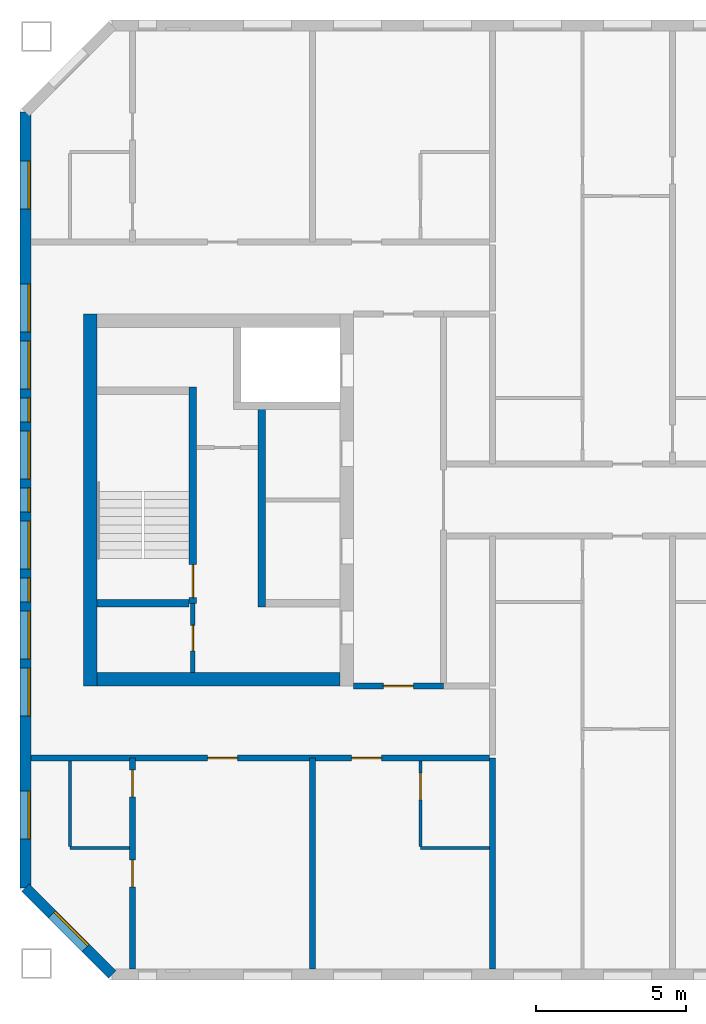
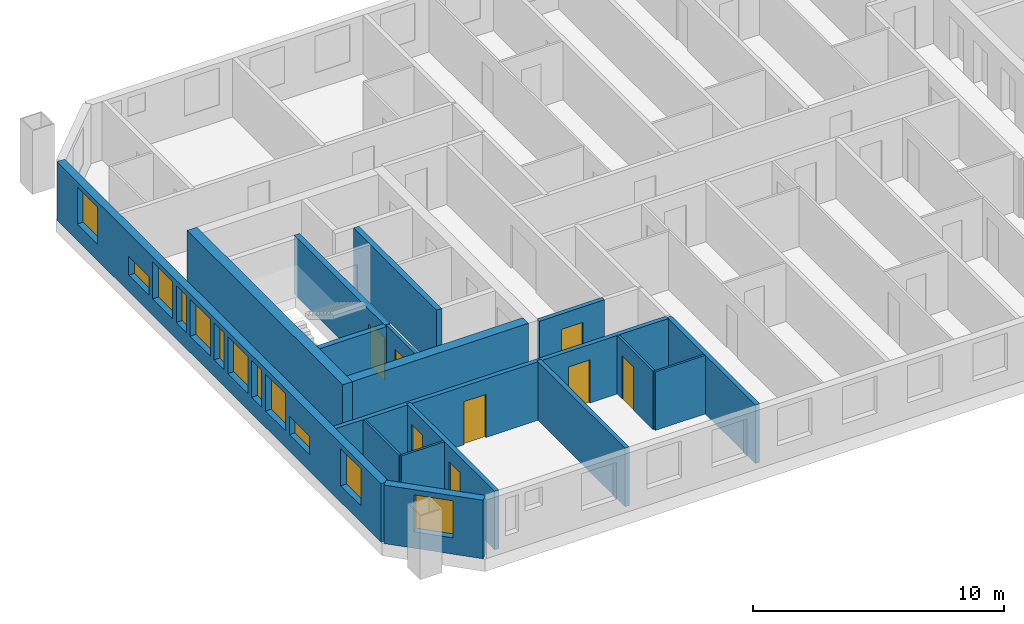
# One storey, part 2 of 16: 17 walls, 12 windows, 8 doors, 20 openings.
"""IFC4 building model written with IfcOpenShell, lengths in metres."""

from ifc_helpers import new_model, si_unit, direction, frame, frame_2d, origin, place, context, subcontext, project, spatial, rectangle, extrude, material, layer, layer_set, type_object, element, fill, save


model = new_model("IFC4")

# Units and contexts
model_context = context("Model", 3, precision=1e-05, world=origin(), true_north=direction((0.0, 1.0)))
body_context = subcontext(model_context, "Body", "Model", "MODEL_VIEW")
ifc_project = project(units=[si_unit("LENGTHUNIT", "METRE"), si_unit("AREAUNIT", "SQUARE_METRE"), si_unit("VOLUMEUNIT", "CUBIC_METRE"), si_unit("PLANEANGLEUNIT", "RADIAN"), si_unit("MASSUNIT", "GRAM", prefix="KILO")], contexts=[model_context])

# Site, building, storey
site_placement = place(None, origin())
site = spatial("IfcSite", under=ifc_project, at=site_placement, CompositionType="ELEMENT")
building_placement = place(site_placement, origin())
building = spatial("IfcBuilding", under=site, at=building_placement, Name="Tuart Gate Housing", CompositionType="ELEMENT")
storey_placement = place(building_placement, frame((0.0, 0.0, 175.800048828125)))
storey = spatial("IfcBuildingStorey", under=building, at=storey_placement, Name="L49", CompositionType="ELEMENT", Elevation=175.800048828125)

# Wall, opening, window
ifc_material_1 = material(Name="Brick", Category="masonry")
ifc_layer_1 = layer(ifc_material_1, 0.360107421875)
ifc_layer_set_1 = layer_set([ifc_layer_1], Name="Brick pier and spandrel wall 360")
wall_type_1 = type_object("IfcWallType", Name="Brick pier and spandrel wall 360", PredefinedType="STANDARD", material=ifc_layer_set_1)
wall_1_placement = place(storey_placement, frame((30.429931640625, 57.07470703125, 0.0), z_axis=(0.0, 0.0, 1.0), x_axis=(0.707106781187, -0.707106781187, 0.0)))
wall_1 = element("IfcWall", 1, at=wall_1_placement, inside=storey, type_object=wall_type_1, Name="External wall A-SW L49", PredefinedType="STANDARD", context=body_context, shape_type="SweptSolid", body=[
    extrude(rectangle(XDim=4.09375, YDim=0.360107421875, at=frame_2d((2.046875, 0.0))), origin(), (0.0, 0.0, 1.0), 2.849853515625),
])
opening_1_placement = place(wall_1_placement, frame((1.2470703125, 0.0, 0.800048828125)))
opening_1 = element("IfcOpeningElement", 2, at=opening_1_placement, cuts=wall_1, Name="Opening W1", PredefinedType="OPENING", context=body_context, shape_type="SweptSolid", body=[
    extrude(rectangle(XDim=1.60009765625, YDim=1.800048828125, at=frame_2d((0.800048828125, 0.89990234375))), frame((0.0, 0.18994140625, 0.0), z_axis=(0.0, -1.0, 0.0), x_axis=(1.0, 0.0, 0.0)), (0.0, 0.0, 1.0), 0.380126953125),
])
ifc_material_2 = material(Name="Aluminium frame with clear glass", Category="aluminium")
window_type_1 = type_object("IfcWindowType", Name="Punched window 1600 x 1800", PartitioningType="SINGLE_PANEL", PredefinedType="WINDOW", material=ifc_material_2)
window_1_placement = place(opening_1_placement, origin())
window_1 = element("IfcWindow", 3, at=window_1_placement, inside=storey, type_object=window_type_1, Name="Window W1", OverallHeight=1.800048828125, OverallWidth=1.60009765625, PartitioningType="SINGLE_PANEL", PredefinedType="WINDOW", context=body_context, shape_type="SweptSolid", body=[
    extrude(rectangle(XDim=1.60009765625, YDim=1.800048828125, at=frame_2d((0.800048828125, 0.89990234375))), frame((0.0, 0.150146484375, 0.0), z_axis=(0.0, -1.0, 0.0), x_axis=(1.0, 0.0, 0.0)), (0.0, 0.0, 1.0), 0.06005859375),
])
fill(opening_1, window_1)

# Wall, openings, windows
wall_2_placement = place(storey_placement, frame((30.429931640625, 82.92529296875, 0.0), z_axis=(0.0, 0.0, 1.0), x_axis=(0.0, -1.0, 0.0)))
wall_2 = element("IfcWall", 4, at=wall_2_placement, inside=storey, type_object=wall_type_1, Name="External wall A-W L49", PredefinedType="STANDARD", context=body_context, shape_type="SweptSolid", body=[
    extrude(rectangle(XDim=25.850830078125, YDim=0.360107421875, at=frame_2d((12.92529296875, 0.0))), origin(), (0.0, 0.0, 1.0), 2.849853515625),
])
opening_2_placement = place(wall_2_placement, frame((1.62548828125, 0.0, 0.800048828125)))
opening_2 = element("IfcOpeningElement", 5, at=opening_2_placement, cuts=wall_2, Name="Opening W1", PredefinedType="OPENING", context=body_context, shape_type="SweptSolid", body=[
    extrude(rectangle(XDim=1.60009765625, YDim=1.800048828125, at=frame_2d((0.800048828125, 0.89990234375))), frame((0.0, 0.18994140625, 0.0), z_axis=(0.0, -1.0, 0.0), x_axis=(1.0, 0.0, 0.0)), (0.0, 0.0, 1.0), 0.380126953125),
])
opening_3_placement = place(wall_2_placement, frame((5.725341796875, 0.0, 0.800048828125)))
opening_3 = element("IfcOpeningElement", 6, at=opening_3_placement, cuts=wall_2, Name="Opening W1R", PredefinedType="OPENING", context=body_context, shape_type="SweptSolid", body=[
    extrude(rectangle(XDim=1.60009765625, YDim=0.89990234375, at=frame_2d((0.800048828125, 0.449951171875))), frame((0.0, 0.18994140625, 0.0), z_axis=(0.0, -1.0, 0.0), x_axis=(1.0, 0.0, 0.0)), (0.0, 0.0, 1.0), 0.380126953125),
])
opening_4_placement = place(wall_2_placement, frame((7.62548828125, 0.0, 0.800048828125)))
opening_4 = element("IfcOpeningElement", 7, at=opening_4_placement, cuts=wall_2, Name="Opening W1", PredefinedType="OPENING", context=body_context, shape_type="SweptSolid", body=[
    extrude(rectangle(XDim=1.60009765625, YDim=1.800048828125, at=frame_2d((0.800048828125, 0.89990234375))), frame((0.0, 0.18994140625, 0.0), z_axis=(0.0, -1.0, 0.0), x_axis=(1.0, 0.0, 0.0)), (0.0, 0.0, 1.0), 0.380126953125),
])
opening_5_placement = place(wall_2_placement, frame((10.62548828125, 0.0, 0.800048828125)))
opening_5 = element("IfcOpeningElement", 8, at=opening_5_placement, cuts=wall_2, Name="Opening W1", PredefinedType="OPENING", context=body_context, shape_type="SweptSolid", body=[
    extrude(rectangle(XDim=1.60009765625, YDim=1.800048828125, at=frame_2d((0.800048828125, 0.89990234375))), frame((0.0, 0.18994140625, 0.0), z_axis=(0.0, -1.0, 0.0), x_axis=(1.0, 0.0, 0.0)), (0.0, 0.0, 1.0), 0.380126953125),
])
opening_6_placement = place(wall_2_placement, frame((13.62548828125, 0.0, 0.800048828125)))
opening_6 = element("IfcOpeningElement", 9, at=opening_6_placement, cuts=wall_2, Name="Opening W1", PredefinedType="OPENING", context=body_context, shape_type="SweptSolid", body=[
    extrude(rectangle(XDim=1.60009765625, YDim=1.800048828125, at=frame_2d((0.800048828125, 0.89990234375))), frame((0.0, 0.18994140625, 0.0), z_axis=(0.0, -1.0, 0.0), x_axis=(1.0, 0.0, 0.0)), (0.0, 0.0, 1.0), 0.380126953125),
])
opening_7_placement = place(wall_2_placement, frame((16.62548828125, 0.0, 0.800048828125)))
opening_7 = element("IfcOpeningElement", 10, at=opening_7_placement, cuts=wall_2, Name="Opening W1", PredefinedType="OPENING", context=body_context, shape_type="SweptSolid", body=[
    extrude(rectangle(XDim=1.60009765625, YDim=1.800048828125, at=frame_2d((0.800048828125, 0.89990234375))), frame((0.0, 0.18994140625, 0.0), z_axis=(0.0, -1.0, 0.0), x_axis=(1.0, 0.0, 0.0)), (0.0, 0.0, 1.0), 0.380126953125),
])
opening_8_placement = place(wall_2_placement, frame((9.525390625, 0.0, 0.800048828125)))
opening_8 = element("IfcOpeningElement", 11, at=opening_8_placement, cuts=wall_2, Name="Opening W1D", PredefinedType="OPENING", context=body_context, shape_type="SweptSolid", body=[
    extrude(rectangle(XDim=0.800048828125, YDim=1.800048828125, at=frame_2d((0.39990234375, 0.89990234375))), frame((0.0, 0.18994140625, 0.0), z_axis=(0.0, -1.0, 0.0), x_axis=(1.0, 0.0, 0.0)), (0.0, 0.0, 1.0), 0.380126953125),
])
opening_9_placement = place(wall_2_placement, frame((22.62548828125, 0.0, 0.800048828125)))
opening_9 = element("IfcOpeningElement", 12, at=opening_9_placement, cuts=wall_2, Name="Opening W1", PredefinedType="OPENING", context=body_context, shape_type="SweptSolid", body=[
    extrude(rectangle(XDim=1.60009765625, YDim=1.800048828125, at=frame_2d((0.800048828125, 0.89990234375))), frame((0.0, 0.18994140625, 0.0), z_axis=(0.0, -1.0, 0.0), x_axis=(1.0, 0.0, 0.0)), (0.0, 0.0, 1.0), 0.380126953125),
])
opening_10_placement = place(wall_2_placement, frame((12.525390625, 0.0, 0.800048828125)))
opening_10 = element("IfcOpeningElement", 13, at=opening_10_placement, cuts=wall_2, Name="Opening W1D", PredefinedType="OPENING", context=body_context, shape_type="SweptSolid", body=[
    extrude(rectangle(XDim=0.800048828125, YDim=1.800048828125, at=frame_2d((0.39990234375, 0.89990234375))), frame((0.0, 0.18994140625, 0.0), z_axis=(0.0, -1.0, 0.0), x_axis=(1.0, 0.0, 0.0)), (0.0, 0.0, 1.0), 0.380126953125),
])
opening_11_placement = place(wall_2_placement, frame((15.525390625, 0.0, 0.800048828125)))
opening_11 = element("IfcOpeningElement", 14, at=opening_11_placement, cuts=wall_2, Name="Opening W1D", PredefinedType="OPENING", context=body_context, shape_type="SweptSolid", body=[
    extrude(rectangle(XDim=0.800048828125, YDim=1.800048828125, at=frame_2d((0.39990234375, 0.89990234375))), frame((0.0, 0.18994140625, 0.0), z_axis=(0.0, -1.0, 0.0), x_axis=(1.0, 0.0, 0.0)), (0.0, 0.0, 1.0), 0.380126953125),
])
opening_12_placement = place(wall_2_placement, frame((18.525390625, 0.0, 0.800048828125)))
opening_12 = element("IfcOpeningElement", 15, at=opening_12_placement, cuts=wall_2, Name="Opening W1R", PredefinedType="OPENING", context=body_context, shape_type="SweptSolid", body=[
    extrude(rectangle(XDim=1.60009765625, YDim=0.89990234375, at=frame_2d((0.800048828125, 0.449951171875))), frame((0.0, 0.18994140625, 0.0), z_axis=(0.0, -1.0, 0.0), x_axis=(1.0, 0.0, 0.0)), (0.0, 0.0, 1.0), 0.380126953125),
])
window_2_placement = place(opening_2_placement, origin())
window_2 = element("IfcWindow", 16, at=window_2_placement, inside=storey, type_object=window_type_1, Name="Window W1", OverallHeight=1.800048828125, OverallWidth=1.60009765625, PartitioningType="SINGLE_PANEL", PredefinedType="WINDOW", context=body_context, shape_type="SweptSolid", body=[
    extrude(rectangle(XDim=1.60009765625, YDim=1.800048828125, at=frame_2d((0.800048828125, 0.89990234375))), frame((0.0, 0.150146484375, 0.0), z_axis=(0.0, -1.0, 0.0), x_axis=(1.0, 0.0, 0.0)), (0.0, 0.0, 1.0), 0.06005859375),
])
fill(opening_2, window_2)
window_3_placement = place(opening_4_placement, origin())
window_3 = element("IfcWindow", 17, at=window_3_placement, inside=storey, type_object=window_type_1, Name="Window W1", OverallHeight=1.800048828125, OverallWidth=1.60009765625, PartitioningType="SINGLE_PANEL", PredefinedType="WINDOW", context=body_context, shape_type="SweptSolid", body=[
    extrude(rectangle(XDim=1.60009765625, YDim=1.800048828125, at=frame_2d((0.800048828125, 0.89990234375))), frame((0.0, 0.150146484375, 0.0), z_axis=(0.0, -1.0, 0.0), x_axis=(1.0, 0.0, 0.0)), (0.0, 0.0, 1.0), 0.06005859375),
])
fill(opening_4, window_3)
window_4_placement = place(opening_5_placement, origin())
window_4 = element("IfcWindow", 18, at=window_4_placement, inside=storey, type_object=window_type_1, Name="Window W1", OverallHeight=1.800048828125, OverallWidth=1.60009765625, PartitioningType="SINGLE_PANEL", PredefinedType="WINDOW", context=body_context, shape_type="SweptSolid", body=[
    extrude(rectangle(XDim=1.60009765625, YDim=1.800048828125, at=frame_2d((0.800048828125, 0.89990234375))), frame((0.0, 0.150146484375, 0.0), z_axis=(0.0, -1.0, 0.0), x_axis=(1.0, 0.0, 0.0)), (0.0, 0.0, 1.0), 0.06005859375),
])
fill(opening_5, window_4)
window_5_placement = place(opening_6_placement, origin())
window_5 = element("IfcWindow", 19, at=window_5_placement, inside=storey, type_object=window_type_1, Name="Window W1", OverallHeight=1.800048828125, OverallWidth=1.60009765625, PartitioningType="SINGLE_PANEL", PredefinedType="WINDOW", context=body_context, shape_type="SweptSolid", body=[
    extrude(rectangle(XDim=1.60009765625, YDim=1.800048828125, at=frame_2d((0.800048828125, 0.89990234375))), frame((0.0, 0.150146484375, 0.0), z_axis=(0.0, -1.0, 0.0), x_axis=(1.0, 0.0, 0.0)), (0.0, 0.0, 1.0), 0.06005859375),
])
fill(opening_6, window_5)
window_6_placement = place(opening_7_placement, origin())
window_6 = element("IfcWindow", 20, at=window_6_placement, inside=storey, type_object=window_type_1, Name="Window W1", OverallHeight=1.800048828125, OverallWidth=1.60009765625, PartitioningType="SINGLE_PANEL", PredefinedType="WINDOW", context=body_context, shape_type="SweptSolid", body=[
    extrude(rectangle(XDim=1.60009765625, YDim=1.800048828125, at=frame_2d((0.800048828125, 0.89990234375))), frame((0.0, 0.150146484375, 0.0), z_axis=(0.0, -1.0, 0.0), x_axis=(1.0, 0.0, 0.0)), (0.0, 0.0, 1.0), 0.06005859375),
])
fill(opening_7, window_6)
window_7_placement = place(opening_9_placement, origin())
window_7 = element("IfcWindow", 21, at=window_7_placement, inside=storey, type_object=window_type_1, Name="Window W1", OverallHeight=1.800048828125, OverallWidth=1.60009765625, PartitioningType="SINGLE_PANEL", PredefinedType="WINDOW", context=body_context, shape_type="SweptSolid", body=[
    extrude(rectangle(XDim=1.60009765625, YDim=1.800048828125, at=frame_2d((0.800048828125, 0.89990234375))), frame((0.0, 0.150146484375, 0.0), z_axis=(0.0, -1.0, 0.0), x_axis=(1.0, 0.0, 0.0)), (0.0, 0.0, 1.0), 0.06005859375),
])
fill(opening_9, window_7)
ifc_material_3 = material(Name="Aluminium frame with clear glass", Category="aluminium")
window_type_2 = type_object("IfcWindowType", Name="Punched window 1600 x 900", PartitioningType="SINGLE_PANEL", PredefinedType="WINDOW", material=ifc_material_3)
window_8_placement = place(opening_3_placement, origin())
window_8 = element("IfcWindow", 22, at=window_8_placement, inside=storey, type_object=window_type_2, Name="Window W1R", OverallHeight=0.89990234375, OverallWidth=1.60009765625, PartitioningType="SINGLE_PANEL", PredefinedType="WINDOW", context=body_context, shape_type="SweptSolid", body=[
    extrude(rectangle(XDim=1.60009765625, YDim=0.89990234375, at=frame_2d((0.800048828125, 0.449951171875))), frame((0.0, 0.150146484375, 0.0), z_axis=(0.0, -1.0, 0.0), x_axis=(1.0, 0.0, 0.0)), (0.0, 0.0, 1.0), 0.06005859375),
])
fill(opening_3, window_8)
window_9_placement = place(opening_12_placement, origin())
window_9 = element("IfcWindow", 23, at=window_9_placement, inside=storey, type_object=window_type_2, Name="Window W1R", OverallHeight=0.89990234375, OverallWidth=1.60009765625, PartitioningType="SINGLE_PANEL", PredefinedType="WINDOW", context=body_context, shape_type="SweptSolid", body=[
    extrude(rectangle(XDim=1.60009765625, YDim=0.89990234375, at=frame_2d((0.800048828125, 0.449951171875))), frame((0.0, 0.150146484375, 0.0), z_axis=(0.0, -1.0, 0.0), x_axis=(1.0, 0.0, 0.0)), (0.0, 0.0, 1.0), 0.06005859375),
])
fill(opening_12, window_9)
ifc_material_4 = material(Name="Aluminium frame with clear glass", Category="aluminium")
window_type_3 = type_object("IfcWindowType", Name="Punched window 800 x 1800", PartitioningType="SINGLE_PANEL", PredefinedType="WINDOW", material=ifc_material_4)
window_10_placement = place(opening_8_placement, origin())
window_10 = element("IfcWindow", 24, at=window_10_placement, inside=storey, type_object=window_type_3, Name="Window W1D", OverallHeight=1.800048828125, OverallWidth=0.800048828125, PartitioningType="SINGLE_PANEL", PredefinedType="WINDOW", context=body_context, shape_type="SweptSolid", body=[
    extrude(rectangle(XDim=0.800048828125, YDim=1.800048828125, at=frame_2d((0.39990234375, 0.89990234375))), frame((0.0, 0.150146484375, 0.0), z_axis=(0.0, -1.0, 0.0), x_axis=(1.0, 0.0, 0.0)), (0.0, 0.0, 1.0), 0.06005859375),
])
fill(opening_8, window_10)
window_11_placement = place(opening_10_placement, origin())
window_11 = element("IfcWindow", 25, at=window_11_placement, inside=storey, type_object=window_type_3, Name="Window W1D", OverallHeight=1.800048828125, OverallWidth=0.800048828125, PartitioningType="SINGLE_PANEL", PredefinedType="WINDOW", context=body_context, shape_type="SweptSolid", body=[
    extrude(rectangle(XDim=0.800048828125, YDim=1.800048828125, at=frame_2d((0.39990234375, 0.89990234375))), frame((0.0, 0.150146484375, 0.0), z_axis=(0.0, -1.0, 0.0), x_axis=(1.0, 0.0, 0.0)), (0.0, 0.0, 1.0), 0.06005859375),
])
fill(opening_10, window_11)
window_12_placement = place(opening_11_placement, origin())
window_12 = element("IfcWindow", 26, at=window_12_placement, inside=storey, type_object=window_type_3, Name="Window W1D", OverallHeight=1.800048828125, OverallWidth=0.800048828125, PartitioningType="SINGLE_PANEL", PredefinedType="WINDOW", context=body_context, shape_type="SweptSolid", body=[
    extrude(rectangle(XDim=0.800048828125, YDim=1.800048828125, at=frame_2d((0.39990234375, 0.89990234375))), frame((0.0, 0.150146484375, 0.0), z_axis=(0.0, -1.0, 0.0), x_axis=(1.0, 0.0, 0.0)), (0.0, 0.0, 1.0), 0.06005859375),
])
fill(opening_11, window_12)

# Wall, opening, door
ifc_material_5 = material(Name="Plasterboard partition")
ifc_layer_2 = layer(ifc_material_5, 0.14990234375)
ifc_layer_set_2 = layer_set([ifc_layer_2], Name="Core partition 150")
wall_type_2 = type_object("IfcWallType", Name="Core partition 150", PredefinedType="PARTITIONING", material=ifc_layer_set_2)
wall_3_placement = place(storey_placement, frame((36.010009765625, 66.550048828125, 0.0), z_axis=(0.0, 0.0, 1.0), x_axis=(0.0, -1.0, 0.0)))
wall_3 = element("IfcWall", 27, at=wall_3_placement, inside=storey, type_object=wall_type_2, Name="Core partition AK.10", PredefinedType="PARTITIONING", context=body_context, shape_type="SweptSolid", body=[
    extrude(rectangle(XDim=2.300048828125, YDim=0.14990234375, at=frame_2d((1.14990234375, 0.0))), origin(), (0.0, 0.0, 1.0), 2.849853515625),
])
opening_13_placement = place(wall_3_placement, frame((0.72509765625, 0.0, 0.0)))
opening_13 = element("IfcOpeningElement", 28, at=opening_13_placement, cuts=wall_3, Name="Opening D1769", PredefinedType="OPENING", context=body_context, shape_type="SweptSolid", body=[
    extrude(rectangle(XDim=0.85009765625, YDim=2.10009765625, at=frame_2d((0.425048828125, 1.050048828125))), frame((0.0, 0.0849609375, 0.0), z_axis=(0.0, -1.0, 0.0), x_axis=(1.0, 0.0, 0.0)), (0.0, 0.0, 1.0), 0.169921875),
])
ifc_material_6 = material(Name="Steel fire door", Category="steel")
door_type_1 = type_object("IfcDoorType", Name="Service door 850 x 2100 RH", OperationType="SINGLE_SWING_RIGHT", PredefinedType="DOOR", material=ifc_material_6)
door_1_placement = place(opening_13_placement, frame((0.85009765625, 0.0, 0.0), z_axis=(0.0, 0.0, 1.0), x_axis=(-1.0, 0.0, 0.0)))
door_1 = element("IfcDoor", 29, at=door_1_placement, inside=storey, type_object=door_type_1, Name="Service room door AK.ST", OperationType="SINGLE_SWING_RIGHT", OverallHeight=2.10009765625, OverallWidth=0.85009765625, PredefinedType="DOOR", context=body_context, shape_type="SweptSolid", body=[
    extrude(rectangle(XDim=0.85009765625, YDim=2.10009765625, at=frame_2d((0.425048828125, 1.050048828125))), frame((0.0, 0.025146484375, 0.0), z_axis=(0.0, -1.0, 0.0), x_axis=(1.0, 0.0, 0.0)), (0.0, 0.0, 1.0), 0.050048828125),
])
fill(opening_13, door_1)

# Walls
ifc_material_7 = material(Name="Concrete C40", Category="concrete")
ifc_layer_3 = layer(ifc_material_7, 0.25)
ifc_layer_set_3 = layer_set([ifc_layer_3], Name="Core wall 250 C40")
wall_type_3 = type_object("IfcWallType", Name="Core wall 250 C40", PredefinedType="SHEAR", material=ifc_layer_set_3)
wall_4_placement = place(storey_placement, frame((35.885009765625, 66.550048828125, 0.0), z_axis=(0.0, 0.0, 1.0), x_axis=(-1.0, 0.0, 0.0)))
element("IfcWall", 30, at=wall_4_placement, inside=storey, type_object=wall_type_3, Name="Core wall AK.6", PredefinedType="SHEAR", context=body_context, shape_type="SweptSolid", body=[
    extrude(rectangle(XDim=3.074951171875, YDim=0.25, at=frame_2d((1.53759765625, 0.0))), origin(), (0.0, 0.0, 1.0), 2.849853515625),
])
wall_5_placement = place(storey_placement, frame((38.31005859375, 73.02490234375, 0.0), z_axis=(0.0, 0.0, 1.0), x_axis=(0.0, -1.0, 0.0)))
element("IfcWall", 31, at=wall_5_placement, inside=storey, type_object=wall_type_3, Name="Core wall AK.7", PredefinedType="SHEAR", context=body_context, shape_type="SweptSolid", body=[
    extrude(rectangle(XDim=6.599853515625, YDim=0.25, at=frame_2d((3.2998046875, 0.0))), origin(), (0.0, 0.0, 1.0), 2.849853515625),
])

# Wall, opening, door
wall_6_placement = place(storey_placement, frame((36.010009765625, 73.77490234375, 0.0), z_axis=(0.0, 0.0, 1.0), x_axis=(0.0, -1.0, 0.0)))
wall_6 = element("IfcWall", 32, at=wall_6_placement, inside=storey, type_object=wall_type_3, Name="Core wall AK.9", PredefinedType="SHEAR", context=body_context, shape_type="SweptSolid", body=[
    extrude(rectangle(XDim=7.224853515625, YDim=0.25, at=frame_2d((3.6123046875, 0.0))), origin(), (0.0, 0.0, 1.0), 2.849853515625),
])
opening_14_placement = place(wall_6_placement, frame((5.925048828125, 0.0, 0.0)))
opening_14 = element("IfcOpeningElement", 33, at=opening_14_placement, cuts=wall_6, Name="Opening D1758", PredefinedType="OPENING", context=body_context, shape_type="SweptSolid", body=[
    extrude(rectangle(XDim=1.10009765625, YDim=2.10009765625, at=frame_2d((0.550048828125, 1.050048828125))), frame((0.0, 0.135009765625, 0.0), z_axis=(0.0, -1.0, 0.0), x_axis=(1.0, 0.0, 0.0)), (0.0, 0.0, 1.0), 0.27001953125),
])
ifc_material_8 = material(Name="Steel fire door", Category="steel")
door_type_2 = type_object("IfcDoorType", Name="Stair door 1100 x 2100", OperationType="SINGLE_SWING_LEFT", PredefinedType="DOOR", material=ifc_material_8)
door_2_placement = place(opening_14_placement, frame((1.10009765625, 0.0, 0.0), z_axis=(0.0, 0.0, 1.0), x_axis=(-1.0, 0.0, 0.0)))
door_2 = element("IfcDoor", 34, at=door_2_placement, inside=storey, type_object=door_type_2, Name="Stair door AK.SD", OperationType="SINGLE_SWING_LEFT", OverallHeight=2.10009765625, OverallWidth=1.10009765625, PredefinedType="DOOR", context=body_context, shape_type="SweptSolid", body=[
    extrude(rectangle(XDim=1.10009765625, YDim=2.10009765625, at=frame_2d((0.550048828125, 1.050048828125))), frame((0.0, 0.025146484375, 0.0), z_axis=(0.0, -1.0, 0.0), x_axis=(1.0, 0.0, 0.0)), (0.0, 0.0, 1.0), 0.050048828125),
])
fill(opening_14, door_2)

# Walls
ifc_material_9 = material(Name="Concrete C40", Category="concrete")
ifc_layer_4 = layer(ifc_material_9, 0.449951171875)
ifc_layer_set_4 = layer_set([ifc_layer_4], Name="Core wall 450 C40")
wall_type_4 = type_object("IfcWallType", Name="Core wall 450 C40", PredefinedType="SHEAR", material=ifc_layer_set_4)
wall_7_placement = place(storey_placement, frame((32.5849609375, 76.199951171875, 0.0), z_axis=(0.0, 0.0, 1.0), x_axis=(0.0, -1.0, 0.0)))
element("IfcWall", 35, at=wall_7_placement, inside=storey, type_object=wall_type_4, Name="Core wall AK back", PredefinedType="SHEAR", context=body_context, shape_type="SweptSolid", body=[
    extrude(rectangle(XDim=12.39990234375, YDim=0.449951171875, at=frame_2d((6.199951171875, 0.0))), origin(), (0.0, 0.0, 1.0), 2.849853515625),
])
wall_8_placement = place(storey_placement, frame((40.909912109375, 64.02490234375, 0.0), z_axis=(0.0, 0.0, 1.0), x_axis=(-1.0, 0.0, 0.0)))
element("IfcWall", 36, at=wall_8_placement, inside=storey, type_object=wall_type_4, Name="Core wall AK north", PredefinedType="SHEAR", context=body_context, shape_type="SweptSolid", body=[
    extrude(rectangle(XDim=8.099853515625, YDim=0.449951171875, at=frame_2d((4.0498046875, 0.0))), origin(), (0.0, 0.0, 1.0), 2.849853515625),
])

# Wall, openings, doors
ifc_material_10 = material(Name="Concrete masonry 15 MPa", Category="masonry")
ifc_layer_5 = layer(ifc_material_10, 0.199951171875)
ifc_layer_set_5 = layer_set([ifc_layer_5], Name="Corridor wall masonry 200")
wall_type_5 = type_object("IfcWallType", Name="Corridor wall masonry 200", PredefinedType="PARTITIONING", material=ifc_layer_set_5)
wall_9_placement = place(storey_placement, frame((30.610107421875, 61.39990234375, 0.0), z_axis=(0.0, 0.0, 1.0), x_axis=(1.0, 0.0, 0.0)))
wall_9 = element("IfcWall", 37, at=wall_9_placement, inside=storey, type_object=wall_type_5, Name="Corridor wall masonry 200", PredefinedType="PARTITIONING", context=body_context, shape_type="SweptSolid", body=[
    extrude(rectangle(XDim=15.289794921875, YDim=0.199951171875, at=frame_2d((7.64501953125, 0.0))), origin(), (0.0, 0.0, 1.0), 2.849853515625),
])
opening_15_placement = place(wall_9_placement, frame((10.68994140625, 0.0, 0.0)))
opening_15 = element("IfcOpeningElement", 38, at=opening_15_placement, cuts=wall_9, Name="Opening D1781", PredefinedType="OPENING", context=body_context, shape_type="SweptSolid", body=[
    extrude(rectangle(XDim=1.0, YDim=2.10009765625, at=frame_2d((0.5, 1.050048828125))), frame((0.0, 0.10986328125, 0.0), z_axis=(0.0, -1.0, 0.0), x_axis=(1.0, 0.0, 0.0)), (0.0, 0.0, 1.0), 0.219970703125),
])
opening_16_placement = place(wall_9_placement, frame((5.889892578125, 0.0, 0.0)))
opening_16 = element("IfcOpeningElement", 39, at=opening_16_placement, cuts=wall_9, Name="Opening D1782", PredefinedType="OPENING", context=body_context, shape_type="SweptSolid", body=[
    extrude(rectangle(XDim=1.0, YDim=2.10009765625, at=frame_2d((0.5, 1.050048828125))), frame((0.0, 0.10986328125, 0.0), z_axis=(0.0, -1.0, 0.0), x_axis=(1.0, 0.0, 0.0)), (0.0, 0.0, 1.0), 0.219970703125),
])
ifc_material_11 = material(Name="Timber door leaf in steel frame", Category="steel")
door_type_3 = type_object("IfcDoorType", Name="Flat entrance door 1000 RH", OperationType="SINGLE_SWING_RIGHT", PredefinedType="DOOR", material=ifc_material_11)
door_3_placement = place(opening_15_placement, frame((1.0, 0.0, 0.0), z_axis=(0.0, 0.0, 1.0), x_axis=(-1.0, 0.0, 0.0)))
door_3 = element("IfcDoor", 40, at=door_3_placement, inside=storey, type_object=door_type_3, Name="Flat entrance door", OperationType="SINGLE_SWING_RIGHT", OverallHeight=2.10009765625, OverallWidth=1.0, PredefinedType="DOOR", context=body_context, shape_type="SweptSolid", body=[
    extrude(rectangle(XDim=1.0, YDim=2.10009765625, at=frame_2d((0.5, 1.050048828125))), frame((0.0, 0.025146484375, 0.0), z_axis=(0.0, -1.0, 0.0), x_axis=(1.0, 0.0, 0.0)), (0.0, 0.0, 1.0), 0.050048828125),
])
fill(opening_15, door_3)
door_4_placement = place(opening_16_placement, frame((1.0, 0.0, 0.0), z_axis=(0.0, 0.0, 1.0), x_axis=(-1.0, 0.0, 0.0)))
door_4 = element("IfcDoor", 41, at=door_4_placement, inside=storey, type_object=door_type_3, Name="Flat entrance door", OperationType="SINGLE_SWING_RIGHT", OverallHeight=2.10009765625, OverallWidth=1.0, PredefinedType="DOOR", context=body_context, shape_type="SweptSolid", body=[
    extrude(rectangle(XDim=1.0, YDim=2.10009765625, at=frame_2d((0.5, 1.050048828125))), frame((0.0, 0.025146484375, 0.0), z_axis=(0.0, -1.0, 0.0), x_axis=(1.0, 0.0, 0.0)), (0.0, 0.0, 1.0), 0.050048828125),
])
fill(opening_16, door_4)

# Wall, opening, door
ifc_material_12 = material(Name="Concrete masonry 15 MPa", Category="masonry")
ifc_layer_6 = layer(ifc_material_12, 0.199951171875)
ifc_layer_set_6 = layer_set([ifc_layer_6], Name="Enclosure wall masonry 200")
wall_type_6 = type_object("IfcWallType", Name="Enclosure wall masonry 200", PredefinedType="PARTITIONING", material=ifc_layer_set_6)
wall_10_placement = place(storey_placement, frame((41.360107421875, 63.800048828125, 0.0), z_axis=(0.0, 0.0, 1.0), x_axis=(1.0, 0.0, 0.0)))
wall_10 = element("IfcWall", 42, at=wall_10_placement, inside=storey, type_object=wall_type_6, Name="Enclosure wall masonry 200", PredefinedType="PARTITIONING", context=body_context, shape_type="SweptSolid", body=[
    extrude(rectangle(XDim=3.0, YDim=0.199951171875, at=frame_2d((1.5, 0.0))), origin(), (0.0, 0.0, 1.0), 2.849853515625),
])
opening_17_placement = place(wall_10_placement, frame((1.0, 0.0, 0.0)))
opening_17 = element("IfcOpeningElement", 43, at=opening_17_placement, cuts=wall_10, Name="Opening D1771", PredefinedType="OPENING", context=body_context, shape_type="SweptSolid", body=[
    extrude(rectangle(XDim=1.0, YDim=2.10009765625, at=frame_2d((0.5, 1.050048828125))), frame((0.0, 0.10986328125, 0.0), z_axis=(0.0, -1.0, 0.0), x_axis=(1.0, 0.0, 0.0)), (0.0, 0.0, 1.0), 0.219970703125),
])
ifc_material_13 = material(Name="Timber door leaf in steel frame", Category="steel")
door_type_4 = type_object("IfcDoorType", Name="Fire door 1000", OperationType="SINGLE_SWING_LEFT", PredefinedType="DOOR", material=ifc_material_13)
door_5_placement = place(opening_17_placement, frame((1.0, 0.0, 0.0), z_axis=(0.0, 0.0, 1.0), x_axis=(-1.0, 0.0, 0.0)))
door_5 = element("IfcDoor", 44, at=door_5_placement, inside=storey, type_object=door_type_4, Name="Fire door", OperationType="SINGLE_SWING_LEFT", OverallHeight=2.10009765625, OverallWidth=1.0, PredefinedType="DOOR", context=body_context, shape_type="SweptSolid", body=[
    extrude(rectangle(XDim=1.0, YDim=2.10009765625, at=frame_2d((0.5, 1.050048828125))), frame((0.0, 0.025146484375, 0.0), z_axis=(0.0, -1.0, 0.0), x_axis=(1.0, 0.0, 0.0)), (0.0, 0.0, 1.0), 0.050048828125),
])
fill(opening_17, door_5)

# Walls
ifc_material_14 = material(Name="Gypsum board on steel studs", Category="steel")
ifc_layer_7 = layer(ifc_material_14, 0.10009765625)
ifc_layer_set_7 = layer_set([ifc_layer_7], Name="Partition 100")
wall_type_7 = type_object("IfcWallType", Name="Partition 100", PredefinedType="PARTITIONING", material=ifc_layer_set_7)
wall_11_placement = place(storey_placement, frame((31.909912109375, 58.39990234375, 0.0), z_axis=(0.0, 0.0, 1.0), x_axis=(1.0, 0.0, 0.0)))
element("IfcWall", 45, at=wall_11_placement, inside=storey, type_object=wall_type_7, Name="Partition 100", PredefinedType="PARTITIONING", context=body_context, shape_type="SweptSolid", body=[
    extrude(rectangle(XDim=1.989990234375, YDim=0.10009765625, at=frame_2d((0.9951171875, 0.0))), origin(), (0.0, 0.0, 1.0), 2.849853515625),
])
wall_12_placement = place(storey_placement, frame((43.60009765625, 58.39990234375, 0.0), z_axis=(0.0, 0.0, 1.0), x_axis=(1.0, 0.0, 0.0)))
element("IfcWall", 46, at=wall_12_placement, inside=storey, type_object=wall_type_7, Name="Partition 100", PredefinedType="PARTITIONING", context=body_context, shape_type="SweptSolid", body=[
    extrude(rectangle(XDim=2.2998046875, YDim=0.10009765625, at=frame_2d((1.14990234375, 0.0))), origin(), (0.0, 0.0, 1.0), 2.849853515625),
])
wall_13_placement = place(storey_placement, frame((31.909912109375, 58.449951171875, 0.0), z_axis=(0.0, 0.0, 1.0), x_axis=(0.0, 1.0, 0.0)))
element("IfcWall", 47, at=wall_13_placement, inside=storey, type_object=wall_type_7, Name="Partition 100", PredefinedType="PARTITIONING", context=body_context, shape_type="SweptSolid", body=[
    extrude(rectangle(XDim=2.85009765625, YDim=0.10009765625, at=frame_2d((1.425048828125, 0.0))), origin(), (0.0, 0.0, 1.0), 2.849853515625),
])

# Wall, opening, door
wall_14_placement = place(storey_placement, frame((43.60009765625, 58.449951171875, 0.0), z_axis=(0.0, 0.0, 1.0), x_axis=(0.0, 1.0, 0.0)))
wall_14 = element("IfcWall", 48, at=wall_14_placement, inside=storey, type_object=wall_type_7, Name="Partition 100", PredefinedType="PARTITIONING", context=body_context, shape_type="SweptSolid", body=[
    extrude(rectangle(XDim=2.85009765625, YDim=0.10009765625, at=frame_2d((1.425048828125, 0.0))), origin(), (0.0, 0.0, 1.0), 2.849853515625),
])
opening_18_placement = place(wall_14_placement, frame((1.550048828125, 0.0, 0.0)))
opening_18 = element("IfcOpeningElement", 49, at=opening_18_placement, cuts=wall_14, Name="Opening D1785", PredefinedType="OPENING", context=body_context, shape_type="SweptSolid", body=[
    extrude(rectangle(XDim=0.89990234375, YDim=2.10009765625, at=frame_2d((0.449951171875, 1.050048828125))), frame((0.0, 0.06005859375, 0.0), z_axis=(0.0, -1.0, 0.0), x_axis=(1.0, 0.0, 0.0)), (0.0, 0.0, 1.0), 0.1201171875),
])
ifc_material_15 = material(Name="Timber door leaf in steel frame", Category="steel")
door_type_5 = type_object("IfcDoorType", Name="Bathroom door 900", OperationType="SINGLE_SWING_LEFT", PredefinedType="DOOR", material=ifc_material_15)
door_6_placement = place(opening_18_placement, frame((0.89990234375, 0.0, 0.0), z_axis=(0.0, 0.0, 1.0), x_axis=(-1.0, 0.0, 0.0)))
door_6 = element("IfcDoor", 50, at=door_6_placement, inside=storey, type_object=door_type_5, Name="Bathroom door", OperationType="SINGLE_SWING_LEFT", OverallHeight=2.10009765625, OverallWidth=0.89990234375, PredefinedType="DOOR", context=body_context, shape_type="SweptSolid", body=[
    extrude(rectangle(XDim=0.89990234375, YDim=2.10009765625, at=frame_2d((0.449951171875, 1.050048828125))), frame((0.0, 0.025146484375, 0.0), z_axis=(0.0, -1.0, 0.0), x_axis=(1.0, 0.0, 0.0)), (0.0, 0.0, 1.0), 0.050048828125),
])
fill(opening_18, door_6)

# Wall, openings, doors
ifc_material_16 = material(Name="Concrete C40", Category="concrete")
ifc_layer_8 = layer(ifc_material_16, 0.199951171875)
ifc_layer_set_8 = layer_set([ifc_layer_8], Name="Party wall concrete C40 200")
wall_type_8 = type_object("IfcWallType", Name="Party wall concrete C40 200", PredefinedType="SOLIDWALL", material=ifc_layer_set_8)
wall_15_placement = place(storey_placement, frame((34.0, 54.360107421875, 0.0), z_axis=(0.0, 0.0, 1.0), x_axis=(0.0, 1.0, 0.0)))
wall_15 = element("IfcWall", 51, at=wall_15_placement, inside=storey, type_object=wall_type_8, Name="Party wall concrete C40 200", PredefinedType="SOLIDWALL", context=body_context, shape_type="SweptSolid", body=[
    extrude(rectangle(XDim=7.039794921875, YDim=0.199951171875, at=frame_2d((3.52001953125, 0.0))), origin(), (0.0, 0.0, 1.0), 2.849853515625),
])
opening_19_placement = place(wall_15_placement, frame((2.739990234375, 0.0, 0.0)))
opening_19 = element("IfcOpeningElement", 52, at=opening_19_placement, cuts=wall_15, Name="Opening D1790", PredefinedType="OPENING", context=body_context, shape_type="SweptSolid", body=[
    extrude(rectangle(XDim=0.89990234375, YDim=2.10009765625, at=frame_2d((0.449951171875, 1.050048828125))), frame((0.0, 0.10986328125, 0.0), z_axis=(0.0, -1.0, 0.0), x_axis=(1.0, 0.0, 0.0)), (0.0, 0.0, 1.0), 0.219970703125),
])
opening_20_placement = place(wall_15_placement, frame((5.739990234375, 0.0, 0.0)))
opening_20 = element("IfcOpeningElement", 53, at=opening_20_placement, cuts=wall_15, Name="Opening D1789", PredefinedType="OPENING", context=body_context, shape_type="SweptSolid", body=[
    extrude(rectangle(XDim=0.89990234375, YDim=2.10009765625, at=frame_2d((0.449951171875, 1.050048828125))), frame((0.0, 0.10986328125, 0.0), z_axis=(0.0, -1.0, 0.0), x_axis=(1.0, 0.0, 0.0)), (0.0, 0.0, 1.0), 0.219970703125),
])
ifc_material_17 = material(Name="Timber door leaf in steel frame", Category="steel")
door_type_6 = type_object("IfcDoorType", Name="Bathroom door 900 RH", OperationType="SINGLE_SWING_RIGHT", PredefinedType="DOOR", material=ifc_material_17)
door_7_placement = place(opening_20_placement, origin())
door_7 = element("IfcDoor", 54, at=door_7_placement, inside=storey, type_object=door_type_6, Name="Bathroom door", OperationType="SINGLE_SWING_RIGHT", OverallHeight=2.10009765625, OverallWidth=0.89990234375, PredefinedType="DOOR", context=body_context, shape_type="SweptSolid", body=[
    extrude(rectangle(XDim=0.89990234375, YDim=2.10009765625, at=frame_2d((0.449951171875, 1.050048828125))), frame((0.0, 0.02490234375, 0.0), z_axis=(0.0, -1.0, 0.0), x_axis=(1.0, 0.0, 0.0)), (0.0, 0.0, 1.0), 0.050048828125),
])
fill(opening_20, door_7)
ifc_material_18 = material(Name="Timber door leaf in steel frame", Category="steel")
door_type_7 = type_object("IfcDoorType", Name="Internal door 900 RH", OperationType="SINGLE_SWING_RIGHT", PredefinedType="DOOR", material=ifc_material_18)
door_8_placement = place(opening_19_placement, origin())
door_8 = element("IfcDoor", 55, at=door_8_placement, inside=storey, type_object=door_type_7, Name="Internal door", OperationType="SINGLE_SWING_RIGHT", OverallHeight=2.10009765625, OverallWidth=0.89990234375, PredefinedType="DOOR", context=body_context, shape_type="SweptSolid", body=[
    extrude(rectangle(XDim=0.89990234375, YDim=2.10009765625, at=frame_2d((0.449951171875, 1.050048828125))), frame((0.0, 0.02490234375, 0.0), z_axis=(0.0, -1.0, 0.0), x_axis=(1.0, 0.0, 0.0)), (0.0, 0.0, 1.0), 0.050048828125),
])
fill(opening_19, door_8)

# Walls
for number, where, z_axis, x_axis, name in (
    (56, (40.0, 54.360107421875, 0.0), (0.0, 0.0, 1.0), (0.0, 1.0, 0.0), "Party wall concrete C40 200"),
    (57, (46.0, 54.360107421875, 0.0), (0.0, 0.0, 1.0), (0.0, 1.0, 0.0), "Party wall concrete C40 200"),
):
    element("IfcWall", number, at=place(storey_placement, frame(where, z_axis=z_axis, x_axis=x_axis)), inside=storey, type_object=wall_type_8, Name=name, PredefinedType="SOLIDWALL", context=body_context, shape_type="SweptSolid", body=[
        extrude(rectangle(XDim=7.039794921875, YDim=0.199951171875, at=frame_2d((3.52001953125, 0.0))), origin(), (0.0, 0.0, 1.0), 2.849853515625),
    ])

save(model, "model.ifc")
